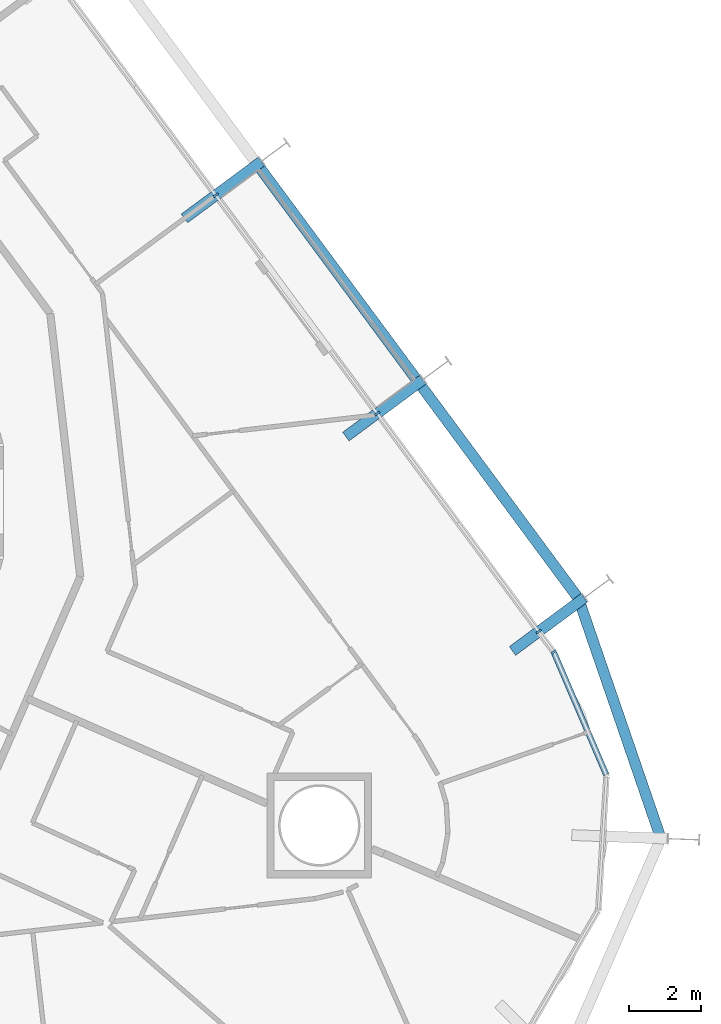
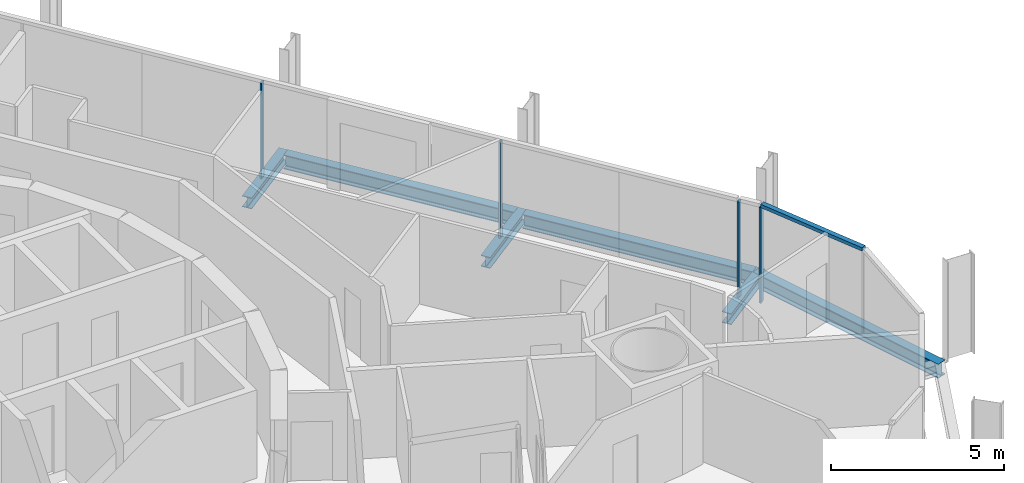
# One storey, part 8 of 21: 6 beams, 5 members, 2 elements without a shape of their own.
"""IFC4 building model written with IfcOpenShell, lengths in metres."""

from ifc_helpers import new_model, si_unit, direction, frame, origin, origin_2d, place, context, subcontext, project, spatial, rectangle, i_section, extrude, material, layer, layer_set, material_profile, profile_set, type_object, element, aggregate, save


model = new_model("IFC4")

# Units and contexts
model_context = context("Model", 3, precision=1e-05, world=origin(), true_north=direction((0.0, 1.0)))
body_context = subcontext(model_context, "Body", "Model", "MODEL_VIEW")
ifc_project = project(units=[si_unit("LENGTHUNIT", "METRE"), si_unit("AREAUNIT", "SQUARE_METRE"), si_unit("VOLUMEUNIT", "CUBIC_METRE"), si_unit("PLANEANGLEUNIT", "RADIAN"), si_unit("MASSUNIT", "GRAM", prefix="KILO")], contexts=[model_context])

# Site, building, storey
site_placement = place(None, origin())
site = spatial("IfcSite", under=ifc_project, at=site_placement, CompositionType="ELEMENT")
building_placement = place(site_placement, origin())
building = spatial("IfcBuilding", under=site, at=building_placement, Name="Spindle Arch Residences", CompositionType="ELEMENT")
storey_placement = place(building_placement, frame((0.0, 0.0, 97.699951171875)))
storey = spatial("IfcBuildingStorey", under=building, at=storey_placement, Name="L23", CompositionType="ELEMENT", Elevation=97.699951171875)

# Curtain wall, member
ifc_material_1 = material(Name="Aluminium bronze unitised frame with tinted glass", Category="aluminium")
ifc_layer_1 = layer(ifc_material_1, 0.159912109375)
ifc_layer_set_1 = layer_set([ifc_layer_1], Name="CW-D corner wall on the fillet arcs")
curtain_wall_type_1 = type_object("IfcCurtainWallType", Name="CW-D corner wall on the fillet arcs", PredefinedType="NOTDEFINED", material=ifc_layer_set_1)
curtain_wall_1_placement = place(storey_placement, origin())
curtain_wall_1 = element("IfcCurtainWall", 1, at=curtain_wall_1_placement, inside=storey, type_object=curtain_wall_type_1, Name="CW-D L23 run 1", PredefinedType="NOTDEFINED")
ifc_material_2 = material(Name="Aluminium bronze anodised mullion", Category="aluminium")
ifc_material_profile_1 = material_profile(ifc_material_2, rectangle(XDim=0.159912109375, YDim=0.06005859375, at=origin_2d()), Name="MU 60x160")
ifc_profile_set_1 = profile_set([ifc_material_profile_1], Name="Aluminium bronze anodised mullion")
member_type_1 = type_object("IfcMemberType", Name="Bronze mullion 60x160", PredefinedType="MULLION", material=ifc_profile_set_1)
member_1_placement = place(storey_placement, frame((27.142822265625, -4.171630859375, -0.3798828125), z_axis=(0.0, 0.0, 1.0), x_axis=(-0.803856860617, -0.594822786751, 0.0)))
member_1 = element("IfcMember", 2, at=member_1_placement, type_object=member_type_1, Name="CW-D mullion 05", PredefinedType="MULLION", context=body_context, shape_type="SweptSolid", body=[
    extrude(rectangle(XDim=0.159912109375, YDim=0.06005859375, at=origin_2d()), origin(), (0.0, 0.0, 1.0), 3.3798828125),
])

# Curtain wall, members
ifc_material_3 = material(Name="Aluminium bronze unitised frame with tinted glass", Category="aluminium")
ifc_layer_2 = layer(ifc_material_3, 0.159912109375)
ifc_layer_set_2 = layer_set([ifc_layer_2], Name="CW-C typical residential unitised wall")
curtain_wall_type_2 = type_object("IfcCurtainWallType", Name="CW-C typical residential unitised wall", PredefinedType="NOTDEFINED", material=ifc_layer_set_2)
curtain_wall_2_placement = place(storey_placement, origin())
curtain_wall_2 = element("IfcCurtainWall", 3, at=curtain_wall_2_placement, inside=storey, type_object=curtain_wall_type_2, Name="CW-C L23 run 2", PredefinedType="NOTDEFINED")
member_2_placement = place(storey_placement, frame((26.7255859375, -3.607666015625, -0.3798828125), z_axis=(0.0, 0.0, 1.0), x_axis=(-0.803856860617, -0.594822786751, 0.0)))
member_2 = element("IfcMember", 4, at=member_2_placement, type_object=member_type_1, Name="CW-C mullion 05", PredefinedType="MULLION", context=body_context, shape_type="SweptSolid", body=[
    extrude(rectangle(XDim=0.159912109375, YDim=0.06005859375, at=origin_2d()), origin(), (0.0, 0.0, 1.0), 3.3798828125),
])
member_3_placement = place(storey_placement, frame((22.253173828125, 2.436279296875, -0.3798828125), z_axis=(0.0, 0.0, 1.0), x_axis=(-0.803856860617, -0.594822786751, 0.0)))
member_3 = element("IfcMember", 5, at=member_3_placement, type_object=member_type_1, Name="CW-C mullion 06", PredefinedType="MULLION", context=body_context, shape_type="SweptSolid", body=[
    extrude(rectangle(XDim=0.159912109375, YDim=0.06005859375, at=origin_2d()), origin(), (0.0, 0.0, 1.0), 3.3798828125),
])
member_4_placement = place(storey_placement, frame((17.78076171875, 8.48046875, -0.3798828125), z_axis=(0.0, 0.0, 1.0), x_axis=(-0.803856860617, -0.594822786751, 0.0)))
member_4 = element("IfcMember", 6, at=member_4_placement, type_object=member_type_1, Name="CW-C mullion 07", PredefinedType="MULLION", context=body_context, shape_type="SweptSolid", body=[
    extrude(rectangle(XDim=0.159912109375, YDim=0.06005859375, at=origin_2d()), origin(), (0.0, 0.0, 1.0), 3.3798828125),
])
aggregate(curtain_wall_2, [member_2, member_3, member_4])

# Member
ifc_material_4 = material(Name="Aluminium bronze anodised transom", Category="aluminium")
ifc_material_profile_2 = material_profile(ifc_material_4, rectangle(XDim=0.159912109375, YDim=0.1201171875, at=origin_2d()), Name="TR 120x160")
ifc_profile_set_2 = profile_set([ifc_material_profile_2], Name="Aluminium bronze anodised transom")
member_type_2 = type_object("IfcMemberType", Name="Bronze transom 120x160", PredefinedType="USERDEFINED", material=ifc_profile_set_2)
member_5_placement = place(storey_placement, frame((28.59716796875, -7.5703125, 3.06005859375), z_axis=(-0.393429066236, 0.919354974882, 0.0), x_axis=(-0.919354974882, -0.393429066236, 0.0)))
member_5 = element("IfcMember", 7, at=member_5_placement, type_object=member_type_2, Name="CW-D transom 04", ObjectType="TRANSOM", PredefinedType="USERDEFINED", context=body_context, shape_type="SweptSolid", body=[
    extrude(rectangle(XDim=0.159912109375, YDim=0.1201171875, at=origin_2d()), origin(), (0.0, 0.0, 1.0), 3.666748046875),
])

aggregate(curtain_wall_1, [member_5, member_1])

# Beams
ifc_material_5 = material(Name="Steel S460ML, intumescent coating R 120", Category="steel")
ifc_material_profile_3 = material_profile(ifc_material_5, i_section(OverallWidth=0.300048828125, OverallDepth=0.5, WebThickness=0.014404296875, FlangeThickness=0.028076171875, FilletRadius=0.027099609375, at=origin_2d()), Name="HEB 500")
ifc_profile_set_3 = profile_set([ifc_material_profile_3], Name="Steel S460ML, intumescent coating R 120")
beam_type_1 = type_object("IfcBeamType", Name="Exoskeleton edge beam HEB 500", PredefinedType="BEAM", material=ifc_profile_set_3)
beam_1_placement = place(storey_placement, frame((30.13720703125, -9.4111328125, -0.6298828125), z_axis=(-0.325113431361, 0.94567502703, 0.0), x_axis=(-0.94567502703, -0.325113431361, 0.0)))
element("IfcBeam", 8, at=beam_1_placement, inside=storey, type_object=beam_type_1, Name="Exoskeleton edge beam 5", PredefinedType="BEAM", context=body_context, shape_type="SweptSolid", body=[
    extrude(i_section(OverallWidth=0.300048828125, OverallDepth=0.5, WebThickness=0.014404296875, FlangeThickness=0.028076171875, FilletRadius=0.027099609375, at=origin_2d()), origin(), (0.0, 0.0, 1.0), 7.09423828125),
])
for number, where, z_axis, x_axis, name in (
    (9, (27.800048828125, -2.65087890625, -0.6298828125), (-0.594821272041, 0.803857981441, 0.0), (-0.803857981441, -0.594821272041, 0.0), "Exoskeleton edge beam 6"),
    (10, (23.32763671875, 3.393310546875, -0.6298828125), (-0.594821272041, 0.803857981441, 0.0), (-0.803857981441, -0.594821272041, 0.0), "Exoskeleton edge beam 7"),
):
    element("IfcBeam", number, at=place(storey_placement, frame(where, z_axis=z_axis, x_axis=x_axis)), inside=storey, type_object=beam_type_1, Name=name, PredefinedType="BEAM", context=body_context, shape_type="SweptSolid", body=[
        extrude(i_section(OverallWidth=0.300048828125, OverallDepth=0.5, WebThickness=0.014404296875, FlangeThickness=0.028076171875, FilletRadius=0.027099609375, at=origin_2d()), origin(), (0.0, 0.0, 1.0), 7.2587890625),
    ])
ifc_material_6 = material(Name="Steel S460ML, intumescent coating R 120", Category="steel")
ifc_material_profile_4 = material_profile(ifc_material_6, i_section(OverallWidth=0.300048828125, OverallDepth=0.389892578125, WebThickness=0.010986328125, FlangeThickness=0.01904296875, FilletRadius=0.027099609375, at=origin_2d()), Name="HEA 400")
ifc_profile_set_4 = profile_set([ifc_material_profile_4], Name="Steel S460ML, intumescent coating R 120")
beam_type_2 = type_object("IfcBeamType", Name="Floor outrigger HEA 400", PredefinedType="BEAM", material=ifc_profile_set_4)
beam_2_placement = place(storey_placement, frame((27.987548828125, -2.673828125, -0.574951171875), z_axis=(-0.803824891941, -0.59486598751, 0.0), x_axis=(0.59486598751, -0.803824891941, 0.0)))
element("IfcBeam", 11, at=beam_2_placement, inside=storey, type_object=beam_type_2, Name="Floor outrigger 6", PredefinedType="BEAM", context=body_context, shape_type="SweptSolid", body=[
    extrude(i_section(OverallWidth=0.300048828125, OverallDepth=0.389892578125, WebThickness=0.010986328125, FlangeThickness=0.01904296875, FilletRadius=0.027099609375, at=origin_2d()), origin(), (0.0, 0.0, 1.0), 2.47119140625),
])
beam_3_placement = place(storey_placement, frame((23.51513671875, 3.3701171875, -0.574951171875), z_axis=(-0.803863925893, -0.59481323846, 0.0), x_axis=(0.59481323846, -0.803863925893, 0.0)))
element("IfcBeam", 12, at=beam_3_placement, inside=storey, type_object=beam_type_2, Name="Floor outrigger 7", PredefinedType="BEAM", context=body_context, shape_type="SweptSolid", body=[
    extrude(i_section(OverallWidth=0.300048828125, OverallDepth=0.389892578125, WebThickness=0.010986328125, FlangeThickness=0.01904296875, FilletRadius=0.027099609375, at=origin_2d()), origin(), (0.0, 0.0, 1.0), 2.64990234375),
])
beam_4_placement = place(storey_placement, frame((19.04296875, 9.414306640625, -0.574951171875), z_axis=(-0.80385247079, -0.594828719217, 0.0), x_axis=(0.594828719217, -0.80385247079, 0.0)))
element("IfcBeam", 13, at=beam_4_placement, inside=storey, type_object=beam_type_2, Name="Floor outrigger 8", PredefinedType="BEAM", context=body_context, shape_type="SweptSolid", body=[
    extrude(i_section(OverallWidth=0.300048828125, OverallDepth=0.389892578125, WebThickness=0.010986328125, FlangeThickness=0.01904296875, FilletRadius=0.027099609375, at=origin_2d()), origin(), (0.0, 0.0, 1.0), 2.650146484375),
])

save(model, "model.ifc")
